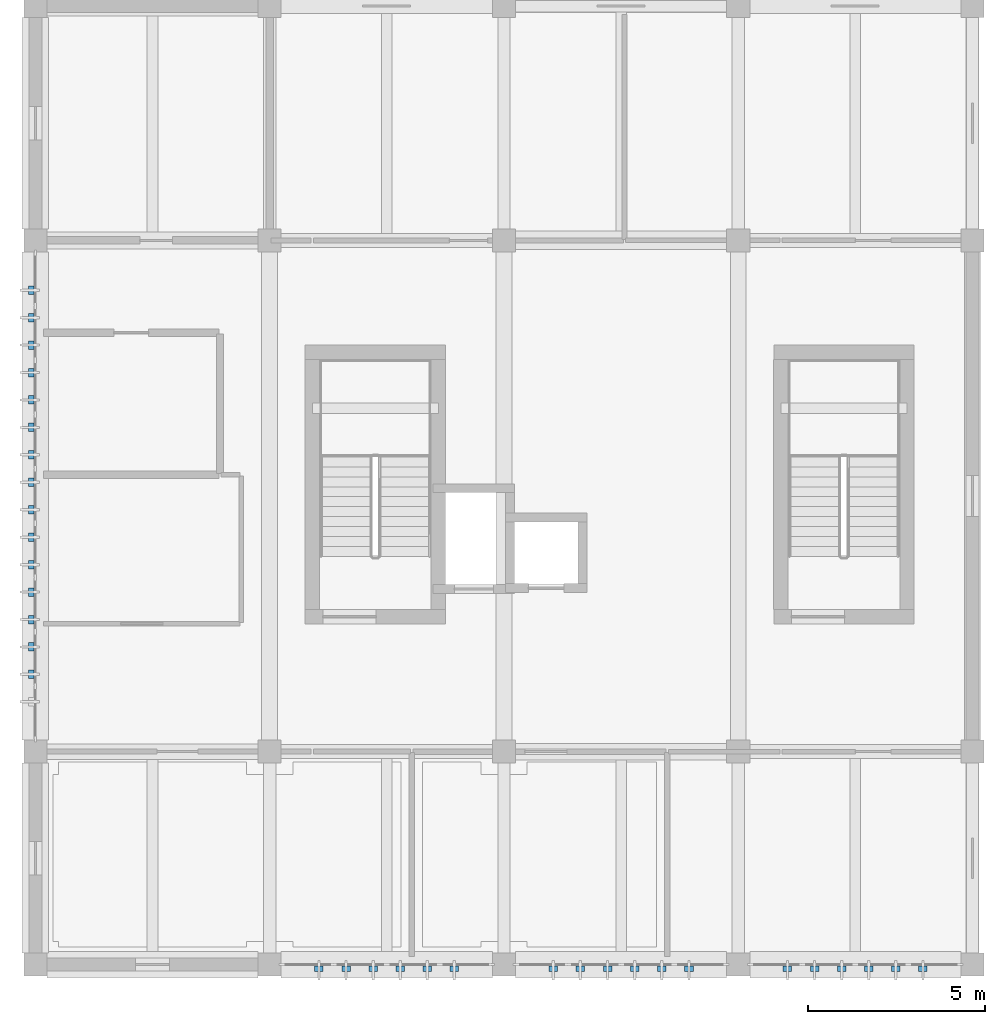
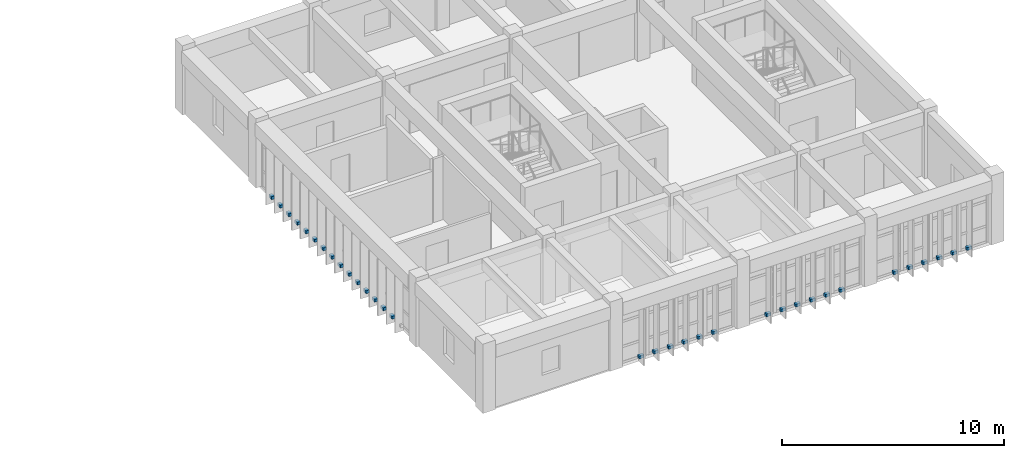
# One storey, part 7 of 9: 33 discrete accessories.
"""IFC4 building model written with IfcOpenShell, lengths in metres."""

from ifc_helpers import new_model, si_unit, direction, frame, origin, origin_2d, place, context, subcontext, project, spatial, rectangle, extrude, material, type_object, element, save


model = new_model("IFC4")

# Units and contexts
model_context = context("Model", 3, precision=1e-05, world=origin(), true_north=direction((0.0, 1.0)))
body_context = subcontext(model_context, "Body", "Model", "MODEL_VIEW")
ifc_project = project(units=[si_unit("LENGTHUNIT", "METRE"), si_unit("AREAUNIT", "SQUARE_METRE"), si_unit("VOLUMEUNIT", "CUBIC_METRE"), si_unit("PLANEANGLEUNIT", "RADIAN"), si_unit("MASSUNIT", "GRAM", prefix="KILO")], contexts=[model_context])

# Site, building, storey
site_placement = place(None, origin())
site = spatial("IfcSite", under=ifc_project, at=site_placement, CompositionType="ELEMENT")
building_placement = place(site_placement, origin())
building = spatial("IfcBuilding", under=site, at=building_placement, Name="Miralva Faculty of Natural Sciences", CompositionType="ELEMENT")
storey_placement = place(building_placement, frame((0.0, 0.0, 33.0)))
storey = spatial("IfcBuildingStorey", under=building, at=storey_placement, Name="L07", CompositionType="ELEMENT", Elevation=33.0)

# Discrete accessories
ifc_material = material(Name="Steel S355", Category="steel")
discrete_accessory_type = type_object("IfcDiscreteAccessoryType", Name="ACC-BRK01", PredefinedType="BRACKET", material=ifc_material)
for number, where, z_axis, x_axis, name in (
    (1, (10.98681640625, 2.8798828125, 0.0400390625), (0.0, 0.0, 1.0), (0.0, -1.0, 0.0), "Solar fin bracket L07-400"),
    (2, (11.75, 2.8798828125, 0.0400390625), (0.0, 0.0, 1.0), (0.0, -1.0, 0.0), "Solar fin bracket L07-401"),
    (3, (12.51318359375, 2.8798828125, 0.0400390625), (0.0, 0.0, 1.0), (0.0, -1.0, 0.0), "Solar fin bracket L07-402"),
    (4, (13.276611328125, 2.8798828125, 0.0400390625), (0.0, 0.0, 1.0), (0.0, -1.0, 0.0), "Solar fin bracket L07-403"),
    (5, (14.0400390625, 2.8798828125, 0.0400390625), (0.0, 0.0, 1.0), (0.0, -1.0, 0.0), "Solar fin bracket L07-404"),
    (6, (14.80322265625, 2.8798828125, 0.0400390625), (0.0, 0.0, 1.0), (0.0, -1.0, 0.0), "Solar fin bracket L07-405"),
    (7, (17.58740234375, 2.8798828125, 0.0400390625), (0.0, 0.0, 1.0), (0.0, -1.0, 0.0), "Solar fin bracket L07-406"),
    (8, (18.3525390625, 2.8798828125, 0.0400390625), (0.0, 0.0, 1.0), (0.0, -1.0, 0.0), "Solar fin bracket L07-407"),
    (9, (19.117431640625, 2.8798828125, 0.0400390625), (0.0, 0.0, 1.0), (0.0, -1.0, 0.0), "Solar fin bracket L07-408"),
    (10, (19.882568359375, 2.8798828125, 0.0400390625), (0.0, 0.0, 1.0), (0.0, -1.0, 0.0), "Solar fin bracket L07-409"),
    (11, (20.6474609375, 2.8798828125, 0.0400390625), (0.0, 0.0, 1.0), (0.0, -1.0, 0.0), "Solar fin bracket L07-410"),
    (12, (21.41259765625, 2.8798828125, 0.0400390625), (0.0, 0.0, 1.0), (0.0, -1.0, 0.0), "Solar fin bracket L07-411"),
    (13, (24.186767578125, 2.8798828125, 0.0400390625), (0.0, 0.0, 1.0), (0.0, -1.0, 0.0), "Solar fin bracket L07-412"),
    (14, (24.949951171875, 2.8798828125, 0.0400390625), (0.0, 0.0, 1.0), (0.0, -1.0, 0.0), "Solar fin bracket L07-413"),
    (15, (25.71337890625, 2.8798828125, 0.0400390625), (0.0, 0.0, 1.0), (0.0, -1.0, 0.0), "Solar fin bracket L07-414"),
    (16, (26.476806640625, 2.8798828125, 0.0400390625), (0.0, 0.0, 1.0), (0.0, -1.0, 0.0), "Solar fin bracket L07-415"),
    (17, (27.239990234375, 2.8798828125, 0.0400390625), (0.0, 0.0, 1.0), (0.0, -1.0, 0.0), "Solar fin bracket L07-416"),
    (18, (28.00341796875, 2.8798828125, 0.0400390625), (0.0, 0.0, 1.0), (0.0, -1.0, 0.0), "Solar fin bracket L07-417"),
    (19, (2.8798828125, 11.1748046875, 0.0400390625), (0.0, 0.0, 1.0), (-1.0, 0.0, 0.0), "Solar fin bracket L07-419"),
    (20, (2.8798828125, 11.94775390625, 0.0400390625), (0.0, 0.0, 1.0), (-1.0, 0.0, 0.0), "Solar fin bracket L07-420"),
    (21, (2.8798828125, 12.720947265625, 0.0400390625), (0.0, 0.0, 1.0), (-1.0, 0.0, 0.0), "Solar fin bracket L07-421"),
    (22, (2.8798828125, 13.494140625, 0.0400390625), (0.0, 0.0, 1.0), (-1.0, 0.0, 0.0), "Solar fin bracket L07-422"),
    (23, (2.8798828125, 14.26708984375, 0.0400390625), (0.0, 0.0, 1.0), (-1.0, 0.0, 0.0), "Solar fin bracket L07-423"),
    (24, (2.8798828125, 15.040283203125, 0.0400390625), (0.0, 0.0, 1.0), (-1.0, 0.0, 0.0), "Solar fin bracket L07-424"),
    (25, (2.8798828125, 15.8134765625, 0.0400390625), (0.0, 0.0, 1.0), (-1.0, 0.0, 0.0), "Solar fin bracket L07-425"),
    (26, (2.8798828125, 16.586669921875, 0.0400390625), (0.0, 0.0, 1.0), (-1.0, 0.0, 0.0), "Solar fin bracket L07-426"),
    (27, (2.8798828125, 17.359619140625, 0.0400390625), (0.0, 0.0, 1.0), (-1.0, 0.0, 0.0), "Solar fin bracket L07-427"),
    (28, (2.8798828125, 18.1328125, 0.0400390625), (0.0, 0.0, 1.0), (-1.0, 0.0, 0.0), "Solar fin bracket L07-428"),
    (29, (2.8798828125, 18.906005859375, 0.0400390625), (0.0, 0.0, 1.0), (-1.0, 0.0, 0.0), "Solar fin bracket L07-429"),
    (30, (2.8798828125, 19.67919921875, 0.0400390625), (0.0, 0.0, 1.0), (-1.0, 0.0, 0.0), "Solar fin bracket L07-430"),
    (31, (2.8798828125, 20.4521484375, 0.0400390625), (0.0, 0.0, 1.0), (-1.0, 0.0, 0.0), "Solar fin bracket L07-431"),
    (32, (2.8798828125, 21.225341796875, 0.0400390625), (0.0, 0.0, 1.0), (-1.0, 0.0, 0.0), "Solar fin bracket L07-432"),
    (33, (2.8798828125, 21.998291015625, 0.0400390625), (0.0, 0.0, 1.0), (-1.0, 0.0, 0.0), "Solar fin bracket L07-433"),
):
    element("IfcDiscreteAccessory", number, at=place(storey_placement, frame(where, z_axis=z_axis, x_axis=x_axis)), inside=storey, type_object=discrete_accessory_type, Name=name, PredefinedType="BRACKET", context=body_context, shape_type="SweptSolid", body=[
        extrude(rectangle(XDim=0.159912109375, YDim=0.239990234375, at=origin_2d()), origin(), (0.0, 0.0, 1.0), 0.159912109375),
    ])

save(model, "model.ifc")
